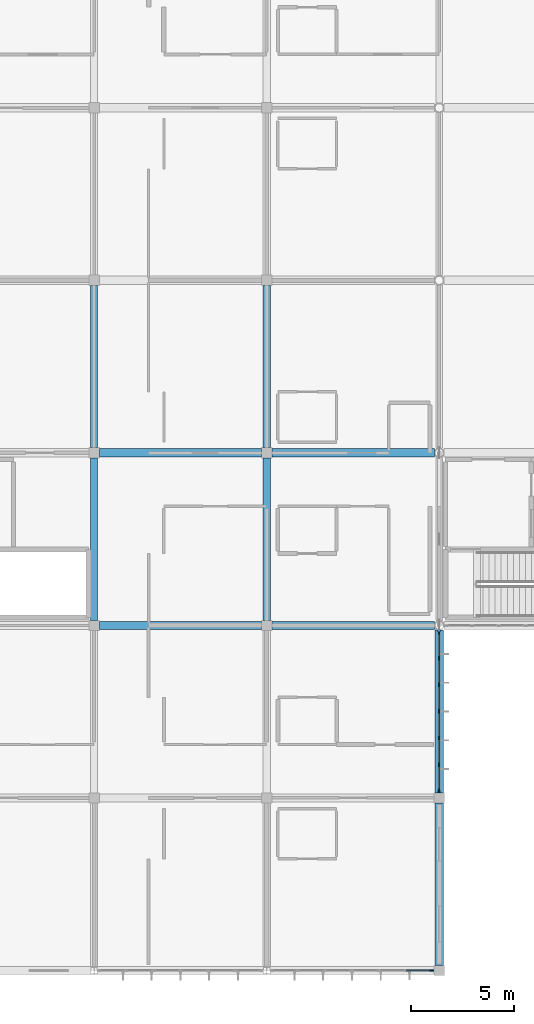
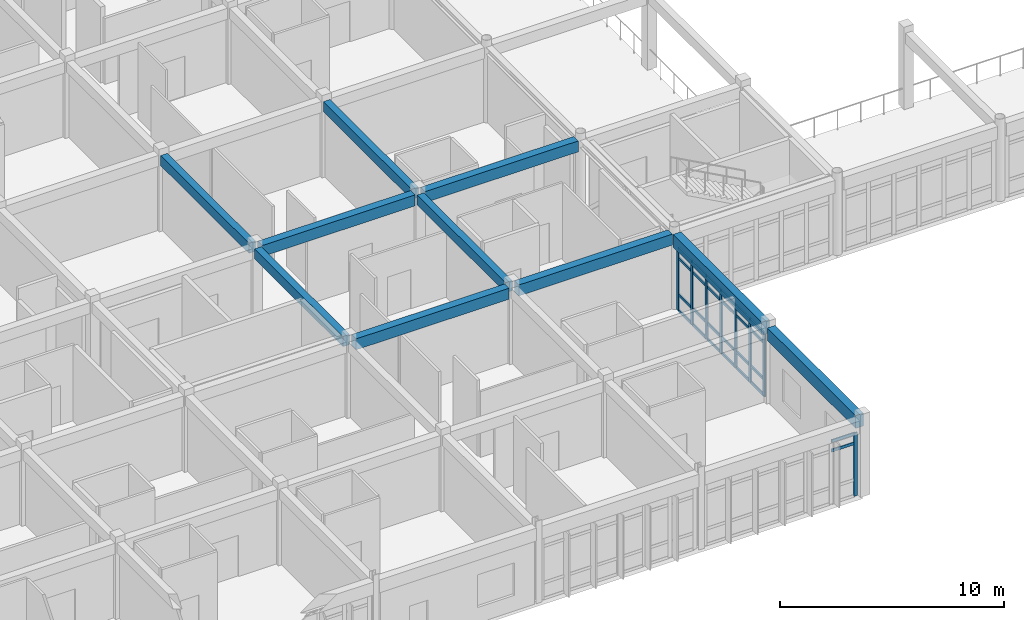
# One storey, part 14 of 144: 34 members, 10 beams, 2 elements without a shape of their own.
"""IFC4 building model written with IfcOpenShell, lengths in metres."""

import ifcopenshell
import ifcopenshell.guid

model = None  # the IFC model being written
_history = None  # IfcOwnerHistory: only IFC2X3 demands one
_inside = {}  # id of a spatial element -> (the spatial element, [elements in it])
_under = {}  # id of a project, library or spatial element -> (it, [spatial elements below it])
_declared = {}  # id of a project -> (the project, [libraries it declares])
_typed = {}  # id of a type object -> (the type object, [elements of that type])
_made_of = {}  # id of a material, layer set ... -> (it, [elements and type objects made of it])


def new_model(schema):
    """Start an empty IFC model of exactly this schema.

    Asked for "IFC4X3", IfcOpenShell would pick the latest addendum, in which some entities
    have other attributes; the version numbers below select the first issue.
    IFC2X3 requires an IfcOwnerHistory on every rooted entity: one is made here for all.
    """
    global model, _history
    if schema == "IFC4X3":
        model = ifcopenshell.file(schema_version=(4, 3, 0, 0))
    else:
        model = ifcopenshell.file(schema=schema)
    _inside.clear()
    _under.clear()
    _declared.clear()
    _typed.clear()
    _made_of.clear()
    _history = None
    if model.schema == "IFC2X3":
        org = make("IfcOrganization", Name="unknown")
        user = make(
            "IfcPersonAndOrganization",
            ThePerson=make("IfcPerson", FamilyName="unknown"),
            TheOrganization=org,
        )
        app = make(
            "IfcApplication",
            ApplicationDeveloper=org,
            Version="unknown",
            ApplicationFullName="unknown",
            ApplicationIdentifier="unknown",
        )
        _history = make(
            "IfcOwnerHistory",
            OwningUser=user,
            OwningApplication=app,
            ChangeAction="ADDED",
            CreationDate=0,
        )
    return model


def make(cls, **values):
    """One entity of the class cls with the attributes given. An attribute that is None is left unset."""
    return model.create_entity(
        cls, **{name: value for name, value in values.items() if value is not None}
    )


def rooted(cls, **values):
    """An entity with a GlobalId (a new one), such as an element, a storey or a relation."""
    return make(cls, GlobalId=ifcopenshell.guid.new(), OwnerHistory=_history, **values)


def si_unit(unit_type, name, prefix=None):
    """IfcSIUnit, for example si_unit("LENGTHUNIT", "METRE", prefix="MILLI")."""
    return make("IfcSIUnit", UnitType=unit_type, Prefix=prefix, Name=name)


def assignment(units):
    """IfcUnitAssignment: the units of a project."""
    return None if units is None else make("IfcUnitAssignment", Units=units)


def point(xyz):
    """IfcCartesianPoint."""
    return None if xyz is None else make("IfcCartesianPoint", Coordinates=xyz)


def direction(xyz):
    """IfcDirection."""
    return None if xyz is None else make("IfcDirection", DirectionRatios=xyz)


def frame(location, z_axis=None, x_axis=None):
    """IfcAxis2Placement3D, a coordinate frame: its origin and axes. An axis left out is left unset."""
    return make(
        "IfcAxis2Placement3D",
        Location=point(location),
        Axis=direction(z_axis),
        RefDirection=direction(x_axis),
    )


def frame_2d(location, x_axis=None):
    """IfcAxis2Placement2D, a coordinate frame in the plane: its origin and x axis."""
    return make(
        "IfcAxis2Placement2D", Location=point(location), RefDirection=direction(x_axis)
    )


def origin():
    """The frame at (0, 0, 0) with its axes left unset."""
    return frame((0.0, 0.0, 0.0))


def origin_2d():
    """The frame at (0, 0) in the plane with its x axis left unset."""
    return frame_2d((0.0, 0.0))


def place(relative_to, where):
    """IfcLocalPlacement: puts the frame where relative to a parent placement (None: the world)."""
    return make(
        "IfcLocalPlacement", PlacementRelTo=relative_to, RelativePlacement=where
    )


def context(
    kind, dimensions, precision=None, world=None, true_north=None, identifier=None
):
    """IfcGeometricRepresentationContext, for example the 3D "Model" context."""
    return make(
        "IfcGeometricRepresentationContext",
        ContextIdentifier=identifier,
        ContextType=kind,
        CoordinateSpaceDimension=dimensions,
        Precision=precision,
        WorldCoordinateSystem=world,
        TrueNorth=true_north,
    )


def subcontext(parent, identifier, kind, view, scale=None):
    """IfcGeometricRepresentationSubContext, for example "Body" below "Model"."""
    return make(
        "IfcGeometricRepresentationSubContext",
        ContextIdentifier=identifier,
        ContextType=kind,
        ParentContext=parent,
        TargetScale=scale,
        TargetView=view,
    )


def project(units=None, contexts=None):
    """IfcProject with its units and contexts."""
    return rooted(
        "IfcProject",
        Name="project",
        RepresentationContexts=contexts,
        UnitsInContext=assignment(units),
    )


def spatial(cls, under=None, at=None, **own):
    """A site, building, storey or space (cls), placed at a placement, below another one or the project."""
    s = rooted(cls, ObjectPlacement=at, **own)
    if under is not None:
        _under.setdefault(under.id(), (under, []))[1].append(s)
    return s


def profile(cls, at=None, kind="AREA", **sizes):
    """A parametric profile (cls). Its sizes go by their IFC names, for example OverallWidth=200.0."""
    return make(cls, ProfileType=kind, Position=at, **sizes)


def rectangle(**sizes):
    """IfcRectangleProfileDef."""
    return profile("IfcRectangleProfileDef", **sizes)


def extrude(swept, where, along, depth):
    """IfcExtrudedAreaSolid: the profile swept, set in the frame where, extruded along a direction by depth."""
    return make(
        "IfcExtrudedAreaSolid",
        SweptArea=swept,
        Position=where,
        ExtrudedDirection=direction(along),
        Depth=depth,
    )


def shape(context_of_items, identifier, shape_type, items):
    """IfcShapeRepresentation: the items that make up one representation, for example the "Body"."""
    return make(
        "IfcShapeRepresentation",
        ContextOfItems=context_of_items,
        RepresentationIdentifier=identifier,
        RepresentationType=shape_type,
        Items=items,
    )


def material(Name=None, Category=None):
    """IfcMaterial."""
    return make("IfcMaterial", Name=Name, Category=Category)


def layer(
    of_material, thickness, ventilated=None, Name=None, Category=None, Priority=None
):
    """IfcMaterialLayer: one layer of a wall or slab, of a material (None: an air gap)."""
    return make(
        "IfcMaterialLayer",
        Material=of_material,
        LayerThickness=thickness,
        IsVentilated=ventilated,
        Name=Name,
        Category=Category,
        Priority=Priority,
    )


def layer_set(layers, Name=None):
    """IfcMaterialLayerSet."""
    return make("IfcMaterialLayerSet", MaterialLayers=layers, LayerSetName=Name)


def material_profile(
    of_material, cross_section, Name=None, Category=None, Priority=None
):
    """IfcMaterialProfile: a cross section and its material."""
    return make(
        "IfcMaterialProfile",
        Name=Name,
        Material=of_material,
        Profile=cross_section,
        Priority=Priority,
        Category=Category,
    )


def profile_set(profiles, Name=None, composite=None):
    """IfcMaterialProfileSet."""
    return make(
        "IfcMaterialProfileSet",
        Name=Name,
        MaterialProfiles=profiles,
        CompositeProfile=composite,
    )


def made_of(thing, what):
    """Note that an element or type object is made of a material, layer set ...; save() writes the relation."""
    if what is not None:
        _made_of.setdefault(what.id(), (what, []))[1].append(thing)
    return thing


def type_object(cls, material=None, **own):
    """A type object (cls), such as IfcWallType, which elements share."""
    return made_of(rooted(cls, **own), material)


def element(
    cls,
    number,
    at=None,
    inside=None,
    cuts=None,
    type_object=None,
    material=None,
    context=None,
    identifier="Body",
    shape_type=None,
    held_by="IfcProductDefinitionShape",
    body=None,
    shapes=None,
    **own,
):
    """One element of the class cls, such as IfcWall. Its Tag is "e" and its number.

    at: its placement. inside: the storey or other place that contains it. cuts: it is an
    opening in that element (IfcRelVoidsElement). A single representation is given by context,
    identifier, shape_type and body (its items); several are given by shapes. held_by: the class
    of the entity that holds the representations. save() writes the other relations.
    """
    e = rooted(cls, Tag="e%d" % number, ObjectPlacement=at, **own)
    if body is not None:
        shapes = [shape(context, identifier, shape_type, body)]
    if shapes is not None:
        e.Representation = make(held_by, Representations=shapes)
    if inside is not None:
        _inside.setdefault(inside.id(), (inside, []))[1].append(e)
    if cuts is not None:
        rooted(
            "IfcRelVoidsElement", RelatingBuildingElement=cuts, RelatedOpeningElement=e
        )
    if type_object is not None:
        _typed.setdefault(type_object.id(), (type_object, []))[1].append(e)
    return made_of(e, material)


def aggregate(whole, parts):
    """IfcRelAggregates: a whole, such as a stair, and the parts it consists of."""
    return rooted("IfcRelAggregates", RelatingObject=whole, RelatedObjects=parts)


def save(model, path):
    """Write the relations noted so far, then the file.

    IfcRelAggregates (storeys below a building ...), IfcRelContainedInSpatialStructure (elements
    in a storey), IfcRelDefinesByType, IfcRelAssociatesMaterial and IfcRelDeclares: one each for
    every whole, place, type object, material and project.
    """
    for whole, parts in _under.values():
        aggregate(whole, parts)
    for where, things in _inside.values():
        rooted(
            "IfcRelContainedInSpatialStructure",
            RelatedElements=things,
            RelatingStructure=where,
        )
    for kind, things in _typed.values():
        rooted("IfcRelDefinesByType", RelatedObjects=things, RelatingType=kind)
    for what, things in _made_of.values():
        rooted("IfcRelAssociatesMaterial", RelatedObjects=things, RelatingMaterial=what)
    for by, libraries in _declared.values():
        rooted("IfcRelDeclares", RelatingContext=by, RelatedDefinitions=libraries)
    model.write(path)


model = new_model("IFC4")

# Units and contexts
model_context = context("Model", 3, precision=1e-05, world=origin(), true_north=direction((0.0, 1.0)))
body_context = subcontext(model_context, "Body", "Model", "MODEL_VIEW")
ifc_project = project(units=[si_unit("LENGTHUNIT", "METRE"), si_unit("AREAUNIT", "SQUARE_METRE"), si_unit("VOLUMEUNIT", "CUBIC_METRE"), si_unit("PLANEANGLEUNIT", "RADIAN"), si_unit("MASSUNIT", "GRAM", prefix="KILO")], contexts=[model_context])

# Site, building, storey
site_placement = place(None, origin())
site = spatial("IfcSite", under=ifc_project, at=site_placement, CompositionType="ELEMENT")
building_placement = place(site_placement, origin())
building = spatial("IfcBuilding", under=site, at=building_placement, Name="Bramfleet General Hospital", CompositionType="ELEMENT")
storey_placement = place(building_placement, frame((0.0, 0.0, 4.800048828125)))
storey = spatial("IfcBuildingStorey", under=building, at=storey_placement, Name="L01", CompositionType="ELEMENT", Elevation=4.800048828125)

# Beams
ifc_material_1 = material(Name="Concrete C35/45", Category="concrete")
ifc_material_profile_1 = material_profile(ifc_material_1, rectangle(XDim=0.35009765625, YDim=0.550048828125, at=origin_2d()), Name="RC BM 550x350")
ifc_profile_set_1 = profile_set([ifc_material_profile_1], Name="Concrete C35/45")
beam_type_1 = type_object("IfcBeamType", Name="BM-RC550", PredefinedType="BEAM", material=ifc_profile_set_1)
beam_1_placement = place(storey_placement, frame((33.60009765625, 17.050048828125, 3.875), z_axis=(0.0, 1.0, 0.0), x_axis=(-1.0, 0.0, 0.0)))
element("IfcBeam", 1, at=beam_1_placement, inside=storey, type_object=beam_type_1, Name="L01 Grid Beam Y 04-02", PredefinedType="BEAM", context=body_context, shape_type="SweptSolid", body=[
    extrude(rectangle(XDim=0.35009765625, YDim=0.550048828125, at=origin_2d()), origin(), (0.0, 0.0, 1.0), 7.89990234375),
])
beam_2_placement = place(storey_placement, frame((33.60009765625, 25.449951171875, 3.875), z_axis=(0.0, 1.0, 0.0), x_axis=(-1.0, 0.0, 0.0)))
element("IfcBeam", 2, at=beam_2_placement, inside=storey, type_object=beam_type_1, Name="L01 Grid Beam Y 04-03", PredefinedType="BEAM", context=body_context, shape_type="SweptSolid", body=[
    extrude(rectangle(XDim=0.35009765625, YDim=0.550048828125, at=origin_2d()), origin(), (0.0, 0.0, 1.0), 7.900146484375),
])
beam_3_placement = place(storey_placement, frame((42.0, 17.050048828125, 3.875), z_axis=(0.0, 1.0, 0.0), x_axis=(-1.0, 0.0, 0.0)))
element("IfcBeam", 3, at=beam_3_placement, inside=storey, type_object=beam_type_1, Name="L01 Grid Beam Y 05-02", PredefinedType="BEAM", context=body_context, shape_type="SweptSolid", body=[
    extrude(rectangle(XDim=0.35009765625, YDim=0.550048828125, at=origin_2d()), origin(), (0.0, 0.0, 1.0), 7.89990234375),
])
beam_4_placement = place(storey_placement, frame((42.0, 25.449951171875, 3.875), z_axis=(0.0, 1.0, 0.0), x_axis=(-1.0, 0.0, 0.0)))
element("IfcBeam", 4, at=beam_4_placement, inside=storey, type_object=beam_type_1, Name="L01 Grid Beam Y 05-03", PredefinedType="BEAM", context=body_context, shape_type="SweptSolid", body=[
    extrude(rectangle(XDim=0.35009765625, YDim=0.550048828125, at=origin_2d()), origin(), (0.0, 0.0, 1.0), 7.900146484375),
])
ifc_material_profile_2 = material_profile(ifc_material_1, rectangle(XDim=0.39990234375, YDim=0.60009765625, at=origin_2d()), Name="RC BM 600x400")
ifc_profile_set_2 = profile_set([ifc_material_profile_2], Name="Concrete C35/45")
beam_type_2 = type_object("IfcBeamType", Name="BM-RC600", PredefinedType="BEAM", material=ifc_profile_set_2)
for number, where, z_axis, x_axis, name in (
    (5, (33.85009765625, 16.800048828125, 3.849853515625), (1.0, 0.0, 0.0), (0.0, 1.0, 0.0), "L01 Grid Beam X 04-02"),
    (6, (33.85009765625, 25.199951171875, 3.849853515625), (1.0, 0.0, 0.0), (0.0, 1.0, 0.0), "L01 Grid Beam X 04-03"),
):
    element("IfcBeam", number, at=place(storey_placement, frame(where, z_axis=z_axis, x_axis=x_axis)), inside=storey, type_object=beam_type_2, Name=name, PredefinedType="BEAM", context=body_context, shape_type="SweptSolid", body=[
        extrude(rectangle(XDim=0.39990234375, YDim=0.60009765625, at=origin_2d()), origin(), (0.0, 0.0, 1.0), 7.89990234375),
    ])
for number, where, z_axis, x_axis, name in (
    (7, (42.25, 16.800048828125, 3.849853515625), (1.0, 0.0, 0.0), (0.0, 1.0, 0.0), "L01 Grid Beam X 05-02"),
    (8, (42.25, 25.199951171875, 3.849853515625), (1.0, 0.0, 0.0), (0.0, 1.0, 0.0), "L01 Grid Beam X 05-03"),
):
    element("IfcBeam", number, at=place(storey_placement, frame(where, z_axis=z_axis, x_axis=x_axis)), inside=storey, type_object=beam_type_2, Name=name, PredefinedType="BEAM", context=body_context, shape_type="SweptSolid", body=[
        extrude(rectangle(XDim=0.39990234375, YDim=0.60009765625, at=origin_2d()), origin(), (0.0, 0.0, 1.0), 7.92138671875),
    ])
ifc_material_profile_3 = material_profile(ifc_material_1, rectangle(XDim=0.39990234375, YDim=0.699951171875, at=origin_2d()), Name="RC SP 700x400")
ifc_profile_set_3 = profile_set([ifc_material_profile_3], Name="Concrete C35/45")
beam_type_3 = type_object("IfcBeamType", Name="BM-SP700", PredefinedType="SPANDREL", material=ifc_profile_set_3)
beam_5_placement = place(storey_placement, frame((50.39990234375, 0.25, 3.800048828125), z_axis=(0.0, 1.0, 0.0), x_axis=(-1.0, 0.0, 0.0)))
element("IfcBeam", 9, at=beam_5_placement, inside=storey, type_object=beam_type_3, Name="L01 Grid Beam Y 06-00", PredefinedType="SPANDREL", context=body_context, shape_type="SweptSolid", body=[
    extrude(rectangle(XDim=0.39990234375, YDim=0.699951171875, at=origin_2d()), origin(), (0.0, 0.0, 1.0), 7.89990234375),
])
beam_6_placement = place(storey_placement, frame((50.39990234375, 8.64990234375, 3.800048828125), z_axis=(0.0, 1.0, 0.0), x_axis=(-1.0, 0.0, 0.0)))
element("IfcBeam", 10, at=beam_6_placement, inside=storey, type_object=beam_type_3, Name="L01 Grid Beam Y 06-01", PredefinedType="SPANDREL", context=body_context, shape_type="SweptSolid", body=[
    extrude(rectangle(XDim=0.39990234375, YDim=0.699951171875, at=origin_2d()), origin(), (0.0, 0.0, 1.0), 7.921630859375),
])

# Curtain wall, members
ifc_material_2 = material(Name="Anodised aluminium and low-E triple glazing", Category="aluminium")
ifc_layer_1 = layer(ifc_material_2, 0.179931640625, Name="CWT-CW-12")
ifc_layer_set_1 = layer_set([ifc_layer_1], Name="Anodised aluminium and low-E triple glazing")
curtain_wall_type_1 = type_object("IfcCurtainWallType", Name="CWT-CW-12", PredefinedType="USERDEFINED", material=ifc_layer_set_1)
curtain_wall_1_placement = place(storey_placement, origin())
curtain_wall_1 = element("IfcCurtainWall", 11, at=curtain_wall_1_placement, inside=storey, type_object=curtain_wall_type_1, Name="L01 Curtain Wall 84", ObjectType="Stick curtain wall", PredefinedType="USERDEFINED")
ifc_material_3 = material(Name="Structural timber GL28h", Category="wood")
ifc_material_profile_4 = material_profile(ifc_material_3, rectangle(XDim=0.070068359375, YDim=0.18994140625, at=origin_2d()), Name="LARCH 190x70")
ifc_profile_set_4 = profile_set([ifc_material_profile_4], Name="Structural timber GL28h")
member_type_1 = type_object("IfcMemberType", Name="CWM-LARCH450", PredefinedType="MULLION", material=ifc_profile_set_4)
member_1_placement = place(storey_placement, frame((50.39990234375, 16.4619140625, 0.0), z_axis=(0.0, 0.0, 1.0), x_axis=(1.0, 0.0, 0.0)))
member_1 = element("IfcMember", 12, at=member_1_placement, type_object=member_type_1, Name="CW-12 mullion 1", PredefinedType="MULLION", context=body_context, shape_type="SweptSolid", body=[
    extrude(rectangle(XDim=0.070068359375, YDim=0.18994140625, at=origin_2d()), origin(), (0.0, 0.0, 1.0), 3.43994140625),
])
member_2_placement = place(storey_placement, frame((50.39990234375, 15.20166015625, 0.0), z_axis=(0.0, 0.0, 1.0), x_axis=(1.0, 0.0, 0.0)))
member_2 = element("IfcMember", 13, at=member_2_placement, type_object=member_type_1, Name="CW-12 mullion 2", PredefinedType="MULLION", context=body_context, shape_type="SweptSolid", body=[
    extrude(rectangle(XDim=0.070068359375, YDim=0.18994140625, at=origin_2d()), origin(), (0.0, 0.0, 1.0), 3.43994140625),
])
member_3_placement = place(storey_placement, frame((50.39990234375, 13.90625, 0.0), z_axis=(0.0, 0.0, 1.0), x_axis=(1.0, 0.0, 0.0)))
member_3 = element("IfcMember", 14, at=member_3_placement, type_object=member_type_1, Name="CW-12 mullion 3", PredefinedType="MULLION", context=body_context, shape_type="SweptSolid", body=[
    extrude(rectangle(XDim=0.070068359375, YDim=0.18994140625, at=origin_2d()), origin(), (0.0, 0.0, 1.0), 3.43994140625),
])
member_4_placement = place(storey_placement, frame((50.39990234375, 12.611083984375, 0.0), z_axis=(0.0, 0.0, 1.0), x_axis=(1.0, 0.0, 0.0)))
member_4 = element("IfcMember", 15, at=member_4_placement, type_object=member_type_1, Name="CW-12 mullion 4", PredefinedType="MULLION", context=body_context, shape_type="SweptSolid", body=[
    extrude(rectangle(XDim=0.070068359375, YDim=0.18994140625, at=origin_2d()), origin(), (0.0, 0.0, 1.0), 3.43994140625),
])
member_5_placement = place(storey_placement, frame((50.39990234375, 11.315673828125, 0.0), z_axis=(0.0, 0.0, 1.0), x_axis=(1.0, 0.0, 0.0)))
member_5 = element("IfcMember", 16, at=member_5_placement, type_object=member_type_1, Name="CW-12 mullion 5", PredefinedType="MULLION", context=body_context, shape_type="SweptSolid", body=[
    extrude(rectangle(XDim=0.070068359375, YDim=0.18994140625, at=origin_2d()), origin(), (0.0, 0.0, 1.0), 3.43994140625),
])
member_6_placement = place(storey_placement, frame((50.39990234375, 10.020263671875, 0.0), z_axis=(0.0, 0.0, 1.0), x_axis=(1.0, 0.0, 0.0)))
member_6 = element("IfcMember", 17, at=member_6_placement, type_object=member_type_1, Name="CW-12 mullion 6", PredefinedType="MULLION", context=body_context, shape_type="SweptSolid", body=[
    extrude(rectangle(XDim=0.070068359375, YDim=0.18994140625, at=origin_2d()), origin(), (0.0, 0.0, 1.0), 3.43994140625),
])
member_7_placement = place(storey_placement, frame((50.39990234375, 8.760009765625, 0.0), z_axis=(0.0, 0.0, 1.0), x_axis=(1.0, 0.0, 0.0)))
member_7 = element("IfcMember", 18, at=member_7_placement, type_object=member_type_1, Name="CW-12 mullion 7", PredefinedType="MULLION", context=body_context, shape_type="SweptSolid", body=[
    extrude(rectangle(XDim=0.070068359375, YDim=0.18994140625, at=origin_2d()), origin(), (0.0, 0.0, 1.0), 3.43994140625),
])

# Curtain wall, member
ifc_layer_2 = layer(ifc_material_2, 0.179931640625, Name="CWT-CW-13")
ifc_layer_set_2 = layer_set([ifc_layer_2], Name="Anodised aluminium and low-E triple glazing")
curtain_wall_type_2 = type_object("IfcCurtainWallType", Name="CWT-CW-13", PredefinedType="USERDEFINED", material=ifc_layer_set_2)
curtain_wall_2_placement = place(storey_placement, origin())
curtain_wall_2 = element("IfcCurtainWall", 19, at=curtain_wall_2_placement, inside=storey, type_object=curtain_wall_type_2, Name="L01 Curtain Wall 85", ObjectType="Stick curtain wall", PredefinedType="USERDEFINED")
member_8_placement = place(storey_placement, frame((50.0400390625, 0.0, 0.0), z_axis=(0.0, 0.0, 1.0), x_axis=(0.0, -1.0, 0.0)))
member_8 = element("IfcMember", 20, at=member_8_placement, type_object=member_type_1, Name="CW-13 mullion 1", PredefinedType="MULLION", context=body_context, shape_type="SweptSolid", body=[
    extrude(rectangle(XDim=0.070068359375, YDim=0.18994140625, at=origin_2d()), origin(), (0.0, 0.0, 1.0), 3.43994140625),
])

# Member
ifc_material_profile_5 = material_profile(ifc_material_3, rectangle(XDim=0.06494140625, YDim=0.14990234375, at=origin_2d()), Name="LARCH 150x65")
ifc_profile_set_5 = profile_set([ifc_material_profile_5], Name="Structural timber GL28h")
member_type_2 = type_object("IfcMemberType", Name="CWT-LARCH220", PredefinedType="USERDEFINED", material=ifc_profile_set_5)
member_9_placement = place(storey_placement, frame((50.39990234375, 16.427001953125, 0.032470703125), z_axis=(0.0, -1.0, 0.0), x_axis=(1.0, 0.0, 0.0)))
member_9 = element("IfcMember", 21, at=member_9_placement, type_object=member_type_2, Name="CW-12 transom 1.1", ObjectType="TRANSOM", PredefinedType="USERDEFINED", context=body_context, shape_type="SweptSolid", body=[
    extrude(rectangle(XDim=0.06494140625, YDim=0.14990234375, at=origin_2d()), origin(), (0.0, 0.0, 1.0), 1.1904296875),
])

member_10_placement = place(storey_placement, frame((50.39990234375, 16.427001953125, 0.89990234375), z_axis=(0.0, -1.0, 0.0), x_axis=(1.0, 0.0, 0.0)))
member_10 = element("IfcMember", 22, at=member_10_placement, type_object=member_type_2, Name="CW-12 transom 1.2", ObjectType="TRANSOM", PredefinedType="USERDEFINED", context=body_context, shape_type="SweptSolid", body=[
    extrude(rectangle(XDim=0.06494140625, YDim=0.14990234375, at=origin_2d()), origin(), (0.0, 0.0, 1.0), 1.1904296875),
])

member_11_placement = place(storey_placement, frame((50.39990234375, 16.427001953125, 2.889892578125), z_axis=(0.0, -1.0, 0.0), x_axis=(1.0, 0.0, 0.0)))
member_11 = element("IfcMember", 23, at=member_11_placement, type_object=member_type_2, Name="CW-12 transom 1.3", ObjectType="TRANSOM", PredefinedType="USERDEFINED", context=body_context, shape_type="SweptSolid", body=[
    extrude(rectangle(XDim=0.06494140625, YDim=0.14990234375, at=origin_2d()), origin(), (0.0, 0.0, 1.0), 1.1904296875),
])

member_12_placement = place(storey_placement, frame((50.39990234375, 16.427001953125, 3.407470703125), z_axis=(0.0, -1.0, 0.0), x_axis=(1.0, 0.0, 0.0)))
member_12 = element("IfcMember", 24, at=member_12_placement, type_object=member_type_2, Name="CW-12 transom 1.4", ObjectType="TRANSOM", PredefinedType="USERDEFINED", context=body_context, shape_type="SweptSolid", body=[
    extrude(rectangle(XDim=0.06494140625, YDim=0.14990234375, at=origin_2d()), origin(), (0.0, 0.0, 1.0), 1.1904296875),
])

member_13_placement = place(storey_placement, frame((50.39990234375, 15.166748046875, 0.032470703125), z_axis=(0.0, -1.0, 0.0), x_axis=(1.0, 0.0, 0.0)))
member_13 = element("IfcMember", 25, at=member_13_placement, type_object=member_type_2, Name="CW-12 transom 2.1", ObjectType="TRANSOM", PredefinedType="USERDEFINED", context=body_context, shape_type="SweptSolid", body=[
    extrude(rectangle(XDim=0.06494140625, YDim=0.14990234375, at=origin_2d()), origin(), (0.0, 0.0, 1.0), 1.225341796875),
])

member_14_placement = place(storey_placement, frame((50.39990234375, 15.166748046875, 0.89990234375), z_axis=(0.0, -1.0, 0.0), x_axis=(1.0, 0.0, 0.0)))
member_14 = element("IfcMember", 26, at=member_14_placement, type_object=member_type_2, Name="CW-12 transom 2.2", ObjectType="TRANSOM", PredefinedType="USERDEFINED", context=body_context, shape_type="SweptSolid", body=[
    extrude(rectangle(XDim=0.06494140625, YDim=0.14990234375, at=origin_2d()), origin(), (0.0, 0.0, 1.0), 1.225341796875),
])

member_15_placement = place(storey_placement, frame((50.39990234375, 15.166748046875, 2.889892578125), z_axis=(0.0, -1.0, 0.0), x_axis=(1.0, 0.0, 0.0)))
member_15 = element("IfcMember", 27, at=member_15_placement, type_object=member_type_2, Name="CW-12 transom 2.3", ObjectType="TRANSOM", PredefinedType="USERDEFINED", context=body_context, shape_type="SweptSolid", body=[
    extrude(rectangle(XDim=0.06494140625, YDim=0.14990234375, at=origin_2d()), origin(), (0.0, 0.0, 1.0), 1.225341796875),
])

member_16_placement = place(storey_placement, frame((50.39990234375, 15.166748046875, 3.407470703125), z_axis=(0.0, -1.0, 0.0), x_axis=(1.0, 0.0, 0.0)))
member_16 = element("IfcMember", 28, at=member_16_placement, type_object=member_type_2, Name="CW-12 transom 2.4", ObjectType="TRANSOM", PredefinedType="USERDEFINED", context=body_context, shape_type="SweptSolid", body=[
    extrude(rectangle(XDim=0.06494140625, YDim=0.14990234375, at=origin_2d()), origin(), (0.0, 0.0, 1.0), 1.225341796875),
])

member_17_placement = place(storey_placement, frame((50.39990234375, 13.871337890625, 0.032470703125), z_axis=(0.0, -1.0, 0.0), x_axis=(1.0, 0.0, 0.0)))
member_17 = element("IfcMember", 29, at=member_17_placement, type_object=member_type_2, Name="CW-12 transom 3.1", ObjectType="TRANSOM", PredefinedType="USERDEFINED", context=body_context, shape_type="SweptSolid", body=[
    extrude(rectangle(XDim=0.06494140625, YDim=0.14990234375, at=origin_2d()), origin(), (0.0, 0.0, 1.0), 1.225341796875),
])

member_18_placement = place(storey_placement, frame((50.39990234375, 13.871337890625, 0.89990234375), z_axis=(0.0, -1.0, 0.0), x_axis=(1.0, 0.0, 0.0)))
member_18 = element("IfcMember", 30, at=member_18_placement, type_object=member_type_2, Name="CW-12 transom 3.2", ObjectType="TRANSOM", PredefinedType="USERDEFINED", context=body_context, shape_type="SweptSolid", body=[
    extrude(rectangle(XDim=0.06494140625, YDim=0.14990234375, at=origin_2d()), origin(), (0.0, 0.0, 1.0), 1.225341796875),
])

member_19_placement = place(storey_placement, frame((50.39990234375, 13.871337890625, 2.889892578125), z_axis=(0.0, -1.0, 0.0), x_axis=(1.0, 0.0, 0.0)))
member_19 = element("IfcMember", 31, at=member_19_placement, type_object=member_type_2, Name="CW-12 transom 3.3", ObjectType="TRANSOM", PredefinedType="USERDEFINED", context=body_context, shape_type="SweptSolid", body=[
    extrude(rectangle(XDim=0.06494140625, YDim=0.14990234375, at=origin_2d()), origin(), (0.0, 0.0, 1.0), 1.225341796875),
])

member_20_placement = place(storey_placement, frame((50.39990234375, 13.871337890625, 3.407470703125), z_axis=(0.0, -1.0, 0.0), x_axis=(1.0, 0.0, 0.0)))
member_20 = element("IfcMember", 32, at=member_20_placement, type_object=member_type_2, Name="CW-12 transom 3.4", ObjectType="TRANSOM", PredefinedType="USERDEFINED", context=body_context, shape_type="SweptSolid", body=[
    extrude(rectangle(XDim=0.06494140625, YDim=0.14990234375, at=origin_2d()), origin(), (0.0, 0.0, 1.0), 1.225341796875),
])

member_21_placement = place(storey_placement, frame((50.39990234375, 12.575927734375, 0.032470703125), z_axis=(0.0, -1.0, 0.0), x_axis=(1.0, 0.0, 0.0)))
member_21 = element("IfcMember", 33, at=member_21_placement, type_object=member_type_2, Name="CW-12 transom 4.1", ObjectType="TRANSOM", PredefinedType="USERDEFINED", context=body_context, shape_type="SweptSolid", body=[
    extrude(rectangle(XDim=0.06494140625, YDim=0.14990234375, at=origin_2d()), origin(), (0.0, 0.0, 1.0), 1.225341796875),
])

member_22_placement = place(storey_placement, frame((50.39990234375, 12.575927734375, 0.89990234375), z_axis=(0.0, -1.0, 0.0), x_axis=(1.0, 0.0, 0.0)))
member_22 = element("IfcMember", 34, at=member_22_placement, type_object=member_type_2, Name="CW-12 transom 4.2", ObjectType="TRANSOM", PredefinedType="USERDEFINED", context=body_context, shape_type="SweptSolid", body=[
    extrude(rectangle(XDim=0.06494140625, YDim=0.14990234375, at=origin_2d()), origin(), (0.0, 0.0, 1.0), 1.225341796875),
])

member_23_placement = place(storey_placement, frame((50.39990234375, 12.575927734375, 2.889892578125), z_axis=(0.0, -1.0, 0.0), x_axis=(1.0, 0.0, 0.0)))
member_23 = element("IfcMember", 35, at=member_23_placement, type_object=member_type_2, Name="CW-12 transom 4.3", ObjectType="TRANSOM", PredefinedType="USERDEFINED", context=body_context, shape_type="SweptSolid", body=[
    extrude(rectangle(XDim=0.06494140625, YDim=0.14990234375, at=origin_2d()), origin(), (0.0, 0.0, 1.0), 1.225341796875),
])

member_24_placement = place(storey_placement, frame((50.39990234375, 12.575927734375, 3.407470703125), z_axis=(0.0, -1.0, 0.0), x_axis=(1.0, 0.0, 0.0)))
member_24 = element("IfcMember", 36, at=member_24_placement, type_object=member_type_2, Name="CW-12 transom 4.4", ObjectType="TRANSOM", PredefinedType="USERDEFINED", context=body_context, shape_type="SweptSolid", body=[
    extrude(rectangle(XDim=0.06494140625, YDim=0.14990234375, at=origin_2d()), origin(), (0.0, 0.0, 1.0), 1.225341796875),
])

member_25_placement = place(storey_placement, frame((50.39990234375, 11.28076171875, 0.032470703125), z_axis=(0.0, -1.0, 0.0), x_axis=(1.0, 0.0, 0.0)))
member_25 = element("IfcMember", 37, at=member_25_placement, type_object=member_type_2, Name="CW-12 transom 5.1", ObjectType="TRANSOM", PredefinedType="USERDEFINED", context=body_context, shape_type="SweptSolid", body=[
    extrude(rectangle(XDim=0.06494140625, YDim=0.14990234375, at=origin_2d()), origin(), (0.0, 0.0, 1.0), 1.225341796875),
])

member_26_placement = place(storey_placement, frame((50.39990234375, 11.28076171875, 0.89990234375), z_axis=(0.0, -1.0, 0.0), x_axis=(1.0, 0.0, 0.0)))
member_26 = element("IfcMember", 38, at=member_26_placement, type_object=member_type_2, Name="CW-12 transom 5.2", ObjectType="TRANSOM", PredefinedType="USERDEFINED", context=body_context, shape_type="SweptSolid", body=[
    extrude(rectangle(XDim=0.06494140625, YDim=0.14990234375, at=origin_2d()), origin(), (0.0, 0.0, 1.0), 1.225341796875),
])

member_27_placement = place(storey_placement, frame((50.39990234375, 11.28076171875, 2.889892578125), z_axis=(0.0, -1.0, 0.0), x_axis=(1.0, 0.0, 0.0)))
member_27 = element("IfcMember", 39, at=member_27_placement, type_object=member_type_2, Name="CW-12 transom 5.3", ObjectType="TRANSOM", PredefinedType="USERDEFINED", context=body_context, shape_type="SweptSolid", body=[
    extrude(rectangle(XDim=0.06494140625, YDim=0.14990234375, at=origin_2d()), origin(), (0.0, 0.0, 1.0), 1.225341796875),
])

member_28_placement = place(storey_placement, frame((50.39990234375, 11.28076171875, 3.407470703125), z_axis=(0.0, -1.0, 0.0), x_axis=(1.0, 0.0, 0.0)))
member_28 = element("IfcMember", 40, at=member_28_placement, type_object=member_type_2, Name="CW-12 transom 5.4", ObjectType="TRANSOM", PredefinedType="USERDEFINED", context=body_context, shape_type="SweptSolid", body=[
    extrude(rectangle(XDim=0.06494140625, YDim=0.14990234375, at=origin_2d()), origin(), (0.0, 0.0, 1.0), 1.225341796875),
])

member_29_placement = place(storey_placement, frame((50.39990234375, 9.9853515625, 0.032470703125), z_axis=(0.0, -1.0, 0.0), x_axis=(1.0, 0.0, 0.0)))
member_29 = element("IfcMember", 41, at=member_29_placement, type_object=member_type_2, Name="CW-12 transom 6.1", ObjectType="TRANSOM", PredefinedType="USERDEFINED", context=body_context, shape_type="SweptSolid", body=[
    extrude(rectangle(XDim=0.06494140625, YDim=0.14990234375, at=origin_2d()), origin(), (0.0, 0.0, 1.0), 1.1904296875),
])

member_30_placement = place(storey_placement, frame((50.39990234375, 9.9853515625, 0.89990234375), z_axis=(0.0, -1.0, 0.0), x_axis=(1.0, 0.0, 0.0)))
member_30 = element("IfcMember", 42, at=member_30_placement, type_object=member_type_2, Name="CW-12 transom 6.2", ObjectType="TRANSOM", PredefinedType="USERDEFINED", context=body_context, shape_type="SweptSolid", body=[
    extrude(rectangle(XDim=0.06494140625, YDim=0.14990234375, at=origin_2d()), origin(), (0.0, 0.0, 1.0), 1.1904296875),
])

member_31_placement = place(storey_placement, frame((50.39990234375, 9.9853515625, 2.889892578125), z_axis=(0.0, -1.0, 0.0), x_axis=(1.0, 0.0, 0.0)))
member_31 = element("IfcMember", 43, at=member_31_placement, type_object=member_type_2, Name="CW-12 transom 6.3", ObjectType="TRANSOM", PredefinedType="USERDEFINED", context=body_context, shape_type="SweptSolid", body=[
    extrude(rectangle(XDim=0.06494140625, YDim=0.14990234375, at=origin_2d()), origin(), (0.0, 0.0, 1.0), 1.1904296875),
])

member_32_placement = place(storey_placement, frame((50.39990234375, 9.9853515625, 3.407470703125), z_axis=(0.0, -1.0, 0.0), x_axis=(1.0, 0.0, 0.0)))
member_32 = element("IfcMember", 44, at=member_32_placement, type_object=member_type_2, Name="CW-12 transom 6.4", ObjectType="TRANSOM", PredefinedType="USERDEFINED", context=body_context, shape_type="SweptSolid", body=[
    extrude(rectangle(XDim=0.06494140625, YDim=0.14990234375, at=origin_2d()), origin(), (0.0, 0.0, 1.0), 1.1904296875),
])

aggregate(curtain_wall_1, [member_1, member_2, member_3, member_4, member_5, member_6, member_7, member_9, member_10, member_11, member_12, member_13, member_14, member_15, member_16, member_17, member_18, member_19, member_20, member_21, member_22, member_23, member_24, member_25, member_26, member_27, member_28, member_29, member_30, member_31, member_32])

member_33_placement = place(storey_placement, frame((50.0048828125, 0.0, 2.889892578125), z_axis=(-1.0, 0.0, 0.0), x_axis=(0.0, -1.0, 0.0)))
member_33 = element("IfcMember", 45, at=member_33_placement, type_object=member_type_2, Name="CW-13 transom 1.3", ObjectType="TRANSOM", PredefinedType="USERDEFINED", context=body_context, shape_type="SweptSolid", body=[
    extrude(rectangle(XDim=0.06494140625, YDim=0.14990234375, at=origin_2d()), origin(), (0.0, 0.0, 1.0), 1.203125),
])

member_34_placement = place(storey_placement, frame((50.0048828125, 0.0, 3.407470703125), z_axis=(-1.0, 0.0, 0.0), x_axis=(0.0, -1.0, 0.0)))
member_34 = element("IfcMember", 46, at=member_34_placement, type_object=member_type_2, Name="CW-13 transom 1.4", ObjectType="TRANSOM", PredefinedType="USERDEFINED", context=body_context, shape_type="SweptSolid", body=[
    extrude(rectangle(XDim=0.06494140625, YDim=0.14990234375, at=origin_2d()), origin(), (0.0, 0.0, 1.0), 1.203125),
])

aggregate(curtain_wall_2, [member_8, member_33, member_34])

save(model, "model.ifc")
